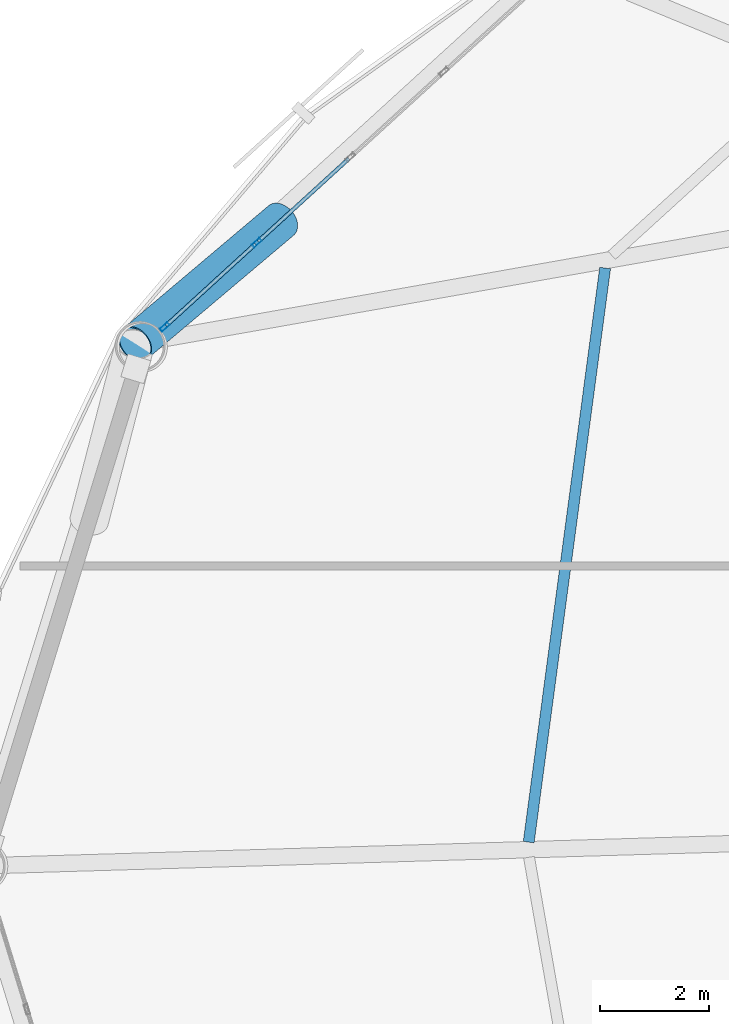
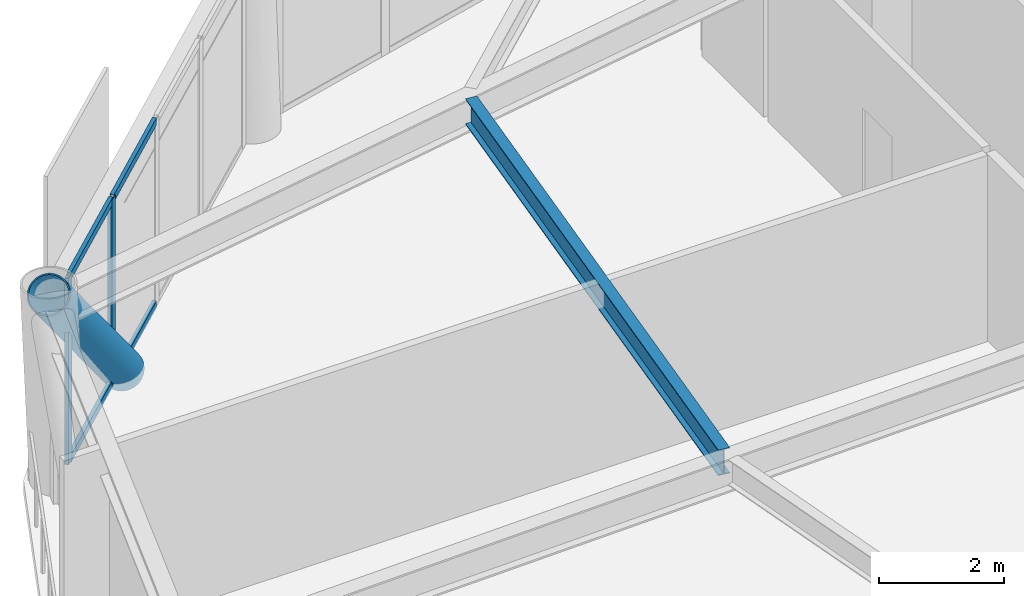
# One storey, part 12 of 26: 7 members, 1 beam, 1 element without a shape of its own.
"""IFC4 building model written with IfcOpenShell, lengths in metres."""

import ifcopenshell
import ifcopenshell.guid

model = None  # the IFC model being written
_history = None  # IfcOwnerHistory: only IFC2X3 demands one
_inside = {}  # id of a spatial element -> (the spatial element, [elements in it])
_under = {}  # id of a project, library or spatial element -> (it, [spatial elements below it])
_declared = {}  # id of a project -> (the project, [libraries it declares])
_typed = {}  # id of a type object -> (the type object, [elements of that type])
_made_of = {}  # id of a material, layer set ... -> (it, [elements and type objects made of it])


def new_model(schema):
    """Start an empty IFC model of exactly this schema.

    Asked for "IFC4X3", IfcOpenShell would pick the latest addendum, in which some entities
    have other attributes; the version numbers below select the first issue.
    IFC2X3 requires an IfcOwnerHistory on every rooted entity: one is made here for all.
    """
    global model, _history
    if schema == "IFC4X3":
        model = ifcopenshell.file(schema_version=(4, 3, 0, 0))
    else:
        model = ifcopenshell.file(schema=schema)
    _inside.clear()
    _under.clear()
    _declared.clear()
    _typed.clear()
    _made_of.clear()
    _history = None
    if model.schema == "IFC2X3":
        org = make("IfcOrganization", Name="unknown")
        user = make(
            "IfcPersonAndOrganization",
            ThePerson=make("IfcPerson", FamilyName="unknown"),
            TheOrganization=org,
        )
        app = make(
            "IfcApplication",
            ApplicationDeveloper=org,
            Version="unknown",
            ApplicationFullName="unknown",
            ApplicationIdentifier="unknown",
        )
        _history = make(
            "IfcOwnerHistory",
            OwningUser=user,
            OwningApplication=app,
            ChangeAction="ADDED",
            CreationDate=0,
        )
    return model


def make(cls, **values):
    """One entity of the class cls with the attributes given. An attribute that is None is left unset."""
    return model.create_entity(
        cls, **{name: value for name, value in values.items() if value is not None}
    )


def rooted(cls, **values):
    """An entity with a GlobalId (a new one), such as an element, a storey or a relation."""
    return make(cls, GlobalId=ifcopenshell.guid.new(), OwnerHistory=_history, **values)


def si_unit(unit_type, name, prefix=None):
    """IfcSIUnit, for example si_unit("LENGTHUNIT", "METRE", prefix="MILLI")."""
    return make("IfcSIUnit", UnitType=unit_type, Prefix=prefix, Name=name)


def assignment(units):
    """IfcUnitAssignment: the units of a project."""
    return None if units is None else make("IfcUnitAssignment", Units=units)


def point(xyz):
    """IfcCartesianPoint."""
    return None if xyz is None else make("IfcCartesianPoint", Coordinates=xyz)


def direction(xyz):
    """IfcDirection."""
    return None if xyz is None else make("IfcDirection", DirectionRatios=xyz)


def frame(location, z_axis=None, x_axis=None):
    """IfcAxis2Placement3D, a coordinate frame: its origin and axes. An axis left out is left unset."""
    return make(
        "IfcAxis2Placement3D",
        Location=point(location),
        Axis=direction(z_axis),
        RefDirection=direction(x_axis),
    )


def frame_2d(location, x_axis=None):
    """IfcAxis2Placement2D, a coordinate frame in the plane: its origin and x axis."""
    return make(
        "IfcAxis2Placement2D", Location=point(location), RefDirection=direction(x_axis)
    )


def origin():
    """The frame at (0, 0, 0) with its axes left unset."""
    return frame((0.0, 0.0, 0.0))


def origin_2d():
    """The frame at (0, 0) in the plane with its x axis left unset."""
    return frame_2d((0.0, 0.0))


def place(relative_to, where):
    """IfcLocalPlacement: puts the frame where relative to a parent placement (None: the world)."""
    return make(
        "IfcLocalPlacement", PlacementRelTo=relative_to, RelativePlacement=where
    )


def context(
    kind, dimensions, precision=None, world=None, true_north=None, identifier=None
):
    """IfcGeometricRepresentationContext, for example the 3D "Model" context."""
    return make(
        "IfcGeometricRepresentationContext",
        ContextIdentifier=identifier,
        ContextType=kind,
        CoordinateSpaceDimension=dimensions,
        Precision=precision,
        WorldCoordinateSystem=world,
        TrueNorth=true_north,
    )


def subcontext(parent, identifier, kind, view, scale=None):
    """IfcGeometricRepresentationSubContext, for example "Body" below "Model"."""
    return make(
        "IfcGeometricRepresentationSubContext",
        ContextIdentifier=identifier,
        ContextType=kind,
        ParentContext=parent,
        TargetScale=scale,
        TargetView=view,
    )


def project(units=None, contexts=None):
    """IfcProject with its units and contexts."""
    return rooted(
        "IfcProject",
        Name="project",
        RepresentationContexts=contexts,
        UnitsInContext=assignment(units),
    )


def spatial(cls, under=None, at=None, **own):
    """A site, building, storey or space (cls), placed at a placement, below another one or the project."""
    s = rooted(cls, ObjectPlacement=at, **own)
    if under is not None:
        _under.setdefault(under.id(), (under, []))[1].append(s)
    return s


def profile(cls, at=None, kind="AREA", **sizes):
    """A parametric profile (cls). Its sizes go by their IFC names, for example OverallWidth=200.0."""
    return make(cls, ProfileType=kind, Position=at, **sizes)


def hollow_rectangle(**sizes):
    """IfcRectangleHollowProfileDef."""
    return profile("IfcRectangleHollowProfileDef", **sizes)


def hollow_circle(**sizes):
    """IfcCircleHollowProfileDef."""
    return profile("IfcCircleHollowProfileDef", **sizes)


def i_section(**sizes):
    """IfcIShapeProfileDef."""
    return profile("IfcIShapeProfileDef", **sizes)


def extrude(swept, where, along, depth):
    """IfcExtrudedAreaSolid: the profile swept, set in the frame where, extruded along a direction by depth."""
    return make(
        "IfcExtrudedAreaSolid",
        SweptArea=swept,
        Position=where,
        ExtrudedDirection=direction(along),
        Depth=depth,
    )


def shape(context_of_items, identifier, shape_type, items):
    """IfcShapeRepresentation: the items that make up one representation, for example the "Body"."""
    return make(
        "IfcShapeRepresentation",
        ContextOfItems=context_of_items,
        RepresentationIdentifier=identifier,
        RepresentationType=shape_type,
        Items=items,
    )


def material(Name=None, Category=None):
    """IfcMaterial."""
    return make("IfcMaterial", Name=Name, Category=Category)


def layer(
    of_material, thickness, ventilated=None, Name=None, Category=None, Priority=None
):
    """IfcMaterialLayer: one layer of a wall or slab, of a material (None: an air gap)."""
    return make(
        "IfcMaterialLayer",
        Material=of_material,
        LayerThickness=thickness,
        IsVentilated=ventilated,
        Name=Name,
        Category=Category,
        Priority=Priority,
    )


def layer_set(layers, Name=None):
    """IfcMaterialLayerSet."""
    return make("IfcMaterialLayerSet", MaterialLayers=layers, LayerSetName=Name)


def material_profile(
    of_material, cross_section, Name=None, Category=None, Priority=None
):
    """IfcMaterialProfile: a cross section and its material."""
    return make(
        "IfcMaterialProfile",
        Name=Name,
        Material=of_material,
        Profile=cross_section,
        Priority=Priority,
        Category=Category,
    )


def profile_set(profiles, Name=None, composite=None):
    """IfcMaterialProfileSet."""
    return make(
        "IfcMaterialProfileSet",
        Name=Name,
        MaterialProfiles=profiles,
        CompositeProfile=composite,
    )


def made_of(thing, what):
    """Note that an element or type object is made of a material, layer set ...; save() writes the relation."""
    if what is not None:
        _made_of.setdefault(what.id(), (what, []))[1].append(thing)
    return thing


def type_object(cls, material=None, **own):
    """A type object (cls), such as IfcWallType, which elements share."""
    return made_of(rooted(cls, **own), material)


def element(
    cls,
    number,
    at=None,
    inside=None,
    cuts=None,
    type_object=None,
    material=None,
    context=None,
    identifier="Body",
    shape_type=None,
    held_by="IfcProductDefinitionShape",
    body=None,
    shapes=None,
    **own,
):
    """One element of the class cls, such as IfcWall. Its Tag is "e" and its number.

    at: its placement. inside: the storey or other place that contains it. cuts: it is an
    opening in that element (IfcRelVoidsElement). A single representation is given by context,
    identifier, shape_type and body (its items); several are given by shapes. held_by: the class
    of the entity that holds the representations. save() writes the other relations.
    """
    e = rooted(cls, Tag="e%d" % number, ObjectPlacement=at, **own)
    if body is not None:
        shapes = [shape(context, identifier, shape_type, body)]
    if shapes is not None:
        e.Representation = make(held_by, Representations=shapes)
    if inside is not None:
        _inside.setdefault(inside.id(), (inside, []))[1].append(e)
    if cuts is not None:
        rooted(
            "IfcRelVoidsElement", RelatingBuildingElement=cuts, RelatedOpeningElement=e
        )
    if type_object is not None:
        _typed.setdefault(type_object.id(), (type_object, []))[1].append(e)
    return made_of(e, material)


def aggregate(whole, parts):
    """IfcRelAggregates: a whole, such as a stair, and the parts it consists of."""
    return rooted("IfcRelAggregates", RelatingObject=whole, RelatedObjects=parts)


def save(model, path):
    """Write the relations noted so far, then the file.

    IfcRelAggregates (storeys below a building ...), IfcRelContainedInSpatialStructure (elements
    in a storey), IfcRelDefinesByType, IfcRelAssociatesMaterial and IfcRelDeclares: one each for
    every whole, place, type object, material and project.
    """
    for whole, parts in _under.values():
        aggregate(whole, parts)
    for where, things in _inside.values():
        rooted(
            "IfcRelContainedInSpatialStructure",
            RelatedElements=things,
            RelatingStructure=where,
        )
    for kind, things in _typed.values():
        rooted("IfcRelDefinesByType", RelatedObjects=things, RelatingType=kind)
    for what, things in _made_of.values():
        rooted("IfcRelAssociatesMaterial", RelatedObjects=things, RelatingMaterial=what)
    for by, libraries in _declared.values():
        rooted("IfcRelDeclares", RelatingContext=by, RelatedDefinitions=libraries)
    model.write(path)


model = new_model("IFC4")

# Units and contexts
model_context = context("Model", 3, precision=1e-05, world=origin(), true_north=direction((0.0, 1.0)))
body_context = subcontext(model_context, "Body", "Model", "MODEL_VIEW")
ifc_project = project(units=[si_unit("LENGTHUNIT", "METRE"), si_unit("AREAUNIT", "SQUARE_METRE"), si_unit("VOLUMEUNIT", "CUBIC_METRE"), si_unit("PLANEANGLEUNIT", "RADIAN"), si_unit("MASSUNIT", "GRAM", prefix="KILO")], contexts=[model_context])

# Site, building, storey
site_placement = place(None, origin())
site = spatial("IfcSite", under=ifc_project, at=site_placement, CompositionType="ELEMENT")
building_placement = place(site_placement, origin())
building = spatial("IfcBuilding", under=site, at=building_placement, Name="Varnakorn Sky Granary", CompositionType="ELEMENT")
storey_placement = place(building_placement, frame((0.0, 0.0, 47.10009765625)))
storey = spatial("IfcBuildingStorey", under=building, at=storey_placement, Name="L11", CompositionType="ELEMENT", Elevation=47.10009765625)

# Beam
ifc_material_1 = material(Name="Steel S355JR", Category="steel")
ifc_material_profile_1 = material_profile(ifc_material_1, i_section(OverallWidth=0.199951171875, OverallDepth=0.5, WebThickness=0.01025390625, FlangeThickness=0.01611328125, at=origin_2d()), Name="IPE 500")
ifc_profile_set_1 = profile_set([ifc_material_profile_1], Name="Steel S355JR")
beam_type = type_object("IfcBeamType", Name="BM-SEC-Z1", PredefinedType="BEAM", material=ifc_profile_set_1)
beam_placement = place(storey_placement, frame((-11.04931640625, 10.95751953125, 3.389892578125), z_axis=(-0.131951219041, -0.991256210974, 0.0), x_axis=(0.991256210974, -0.131951219041, 0.0)))
element("IfcBeam", 1, at=beam_placement, inside=storey, type_object=beam_type, Name="Secondary Floor Chord Beam MSB06 L11", PredefinedType="BEAM", context=body_context, shape_type="SweptSolid", body=[
    extrude(i_section(OverallWidth=0.199951171875, OverallDepth=0.5, WebThickness=0.01025390625, FlangeThickness=0.01611328125, at=origin_2d()), origin(), (0.0, 0.0, 1.0), 10.611083984375),
])

# Curtain wall, members
ifc_material_2 = material(Name="Anodised Bronze Aluminium Alloy 6063-T6", Category="aluminium")
ifc_layer = layer(ifc_material_2, 0.18994140625, Name="Anodised Bronze Aluminium Alloy 6063-T6")
ifc_layer_set = layer_set([ifc_layer], Name="Anodised Bronze Aluminium Alloy 6063-T6")
curtain_wall_type = type_object("IfcCurtainWallType", Name="CW-FRM-1", PredefinedType="USERDEFINED", material=ifc_layer_set)
curtain_wall_placement = place(storey_placement, origin())
curtain_wall = element("IfcCurtainWall", 2, at=curtain_wall_placement, inside=storey, type_object=curtain_wall_type, Name="Unitised Curtain Wall CW3 CW-L11-B05", ObjectType="CURTAIN WALL", PredefinedType="USERDEFINED")
ifc_material_profile_2 = material_profile(ifc_material_2, hollow_rectangle(XDim=0.070068359375, YDim=0.18505859375, WallThickness=0.00390625, at=origin_2d()), Name="ALU MULL 70x185")
ifc_profile_set_2 = profile_set([ifc_material_profile_2], Name="Anodised Bronze Aluminium Alloy 6063-T6")
member_type_1 = type_object("IfcMemberType", Name="CW-FRM-1-MULL", PredefinedType="MULLION", material=ifc_profile_set_2)
member_1_placement = place(storey_placement, frame((-19.11865234375, 9.8798828125, 0.0), z_axis=(0.0, 0.0, 1.0), x_axis=(-0.674464438954, 0.738307334777, 0.0)))
member_1 = element("IfcMember", 3, at=member_1_placement, type_object=member_type_1, Name="CW3 mullion 1", PredefinedType="MULLION", context=body_context, shape_type="SweptSolid", body=[
    extrude(hollow_rectangle(XDim=0.070068359375, YDim=0.18505859375, WallThickness=0.00390625, at=origin_2d()), origin(), (0.0, 0.0, 1.0), 3.639892578125),
])
member_2_placement = place(storey_placement, frame((-17.4306640625, 11.421875, 0.0), z_axis=(0.0, 0.0, 1.0), x_axis=(-0.674464438954, 0.738307334777, 0.0)))
member_2 = element("IfcMember", 4, at=member_2_placement, type_object=member_type_1, Name="CW3 mullion 2", PredefinedType="MULLION", context=body_context, shape_type="SweptSolid", body=[
    extrude(hollow_rectangle(XDim=0.070068359375, YDim=0.18505859375, WallThickness=0.00390625, at=origin_2d()), origin(), (0.0, 0.0, 1.0), 3.639892578125),
])
ifc_material_profile_3 = material_profile(ifc_material_2, hollow_rectangle(XDim=0.070068359375, YDim=0.139892578125, WallThickness=0.00341796875, at=origin_2d()), Name="ALU TRAN 70x140")
ifc_profile_set_3 = profile_set([ifc_material_profile_3], Name="Anodised Bronze Aluminium Alloy 6063-T6")
member_type_2 = type_object("IfcMemberType", Name="CW-FRM-1-TRAN", PredefinedType="USERDEFINED", material=ifc_profile_set_3)
member_3_placement = place(storey_placement, frame((-19.093017578125, 9.9033203125, 0.034912109375), z_axis=(0.738328085792, 0.674441723005, 0.0), x_axis=(-0.674441723005, 0.738328085792, 0.0)))
member_3 = element("IfcMember", 5, at=member_3_placement, type_object=member_type_2, Name="CW3 transom 1.1", ObjectType="TRANSOM", PredefinedType="USERDEFINED", context=body_context, shape_type="SweptSolid", body=[
    extrude(hollow_rectangle(XDim=0.070068359375, YDim=0.139892578125, WallThickness=0.00341796875, at=origin_2d()), origin(), (0.0, 0.0, 1.0), 2.216552734375),
])
member_4_placement = place(storey_placement, frame((-19.093017578125, 9.9033203125, 3.60498046875), z_axis=(0.738328085792, 0.674441723005, 0.0), x_axis=(-0.674441723005, 0.738328085792, 0.0)))
member_4 = element("IfcMember", 6, at=member_4_placement, type_object=member_type_2, Name="CW3 transom 1.2", ObjectType="TRANSOM", PredefinedType="USERDEFINED", context=body_context, shape_type="SweptSolid", body=[
    extrude(hollow_rectangle(XDim=0.070068359375, YDim=0.139892578125, WallThickness=0.00341796875, at=origin_2d()), origin(), (0.0, 0.0, 1.0), 2.216552734375),
])
member_5_placement = place(storey_placement, frame((-17.405029296875, 11.445556640625, 0.034912109375), z_axis=(0.738372794712, 0.674392775784, 0.0), x_axis=(-0.674392775784, 0.738372794712, 0.0)))
member_5 = element("IfcMember", 7, at=member_5_placement, type_object=member_type_2, Name="CW3 transom 2.1", ObjectType="TRANSOM", PredefinedType="USERDEFINED", context=body_context, shape_type="SweptSolid", body=[
    extrude(hollow_rectangle(XDim=0.070068359375, YDim=0.139892578125, WallThickness=0.00341796875, at=origin_2d()), origin(), (0.0, 0.0, 1.0), 2.25146484375),
])
member_6_placement = place(storey_placement, frame((-17.405029296875, 11.445556640625, 3.60498046875), z_axis=(0.738372794712, 0.674392775784, 0.0), x_axis=(-0.674392775784, 0.738372794712, 0.0)))
member_6 = element("IfcMember", 8, at=member_6_placement, type_object=member_type_2, Name="CW3 transom 2.2", ObjectType="TRANSOM", PredefinedType="USERDEFINED", context=body_context, shape_type="SweptSolid", body=[
    extrude(hollow_rectangle(XDim=0.070068359375, YDim=0.139892578125, WallThickness=0.00341796875, at=origin_2d()), origin(), (0.0, 0.0, 1.0), 2.25146484375),
])
aggregate(curtain_wall, [member_1, member_2, member_3, member_4, member_5, member_6])

# Member
ifc_material_3 = material(Name="Steel S460M", Category="steel")
ifc_material_profile_4 = material_profile(ifc_material_3, hollow_circle(Radius=0.35546875, WallThickness=0.02490234375, at=origin_2d()), Name="CHS 711x25")
ifc_profile_set_4 = profile_set([ifc_material_profile_4], Name="Steel S460M")
member_type_3 = type_object("IfcMemberType", Name="MB-DIAG-T0", PredefinedType="BRACE", material=ifc_profile_set_4)
member_7_placement = place(storey_placement, frame((-16.98681640625, 11.827392578125, -0.130126953125), z_axis=(-0.52012613999, -0.438894982203, 0.732693655695), x_axis=(0.644904028453, -0.764263563233, 0.0)))
element("IfcMember", 9, at=member_7_placement, inside=storey, type_object=member_type_3, Name="Perimeter CHS Diagrid Brace DG05 L11", PredefinedType="BRACE", context=body_context, shape_type="SweptSolid", body=[
    extrude(hollow_circle(Radius=0.35546875, WallThickness=0.02490234375, at=origin_2d()), origin(), (0.0, 0.0, 1.0), 5.1455078125),
])

save(model, "model.ifc")
